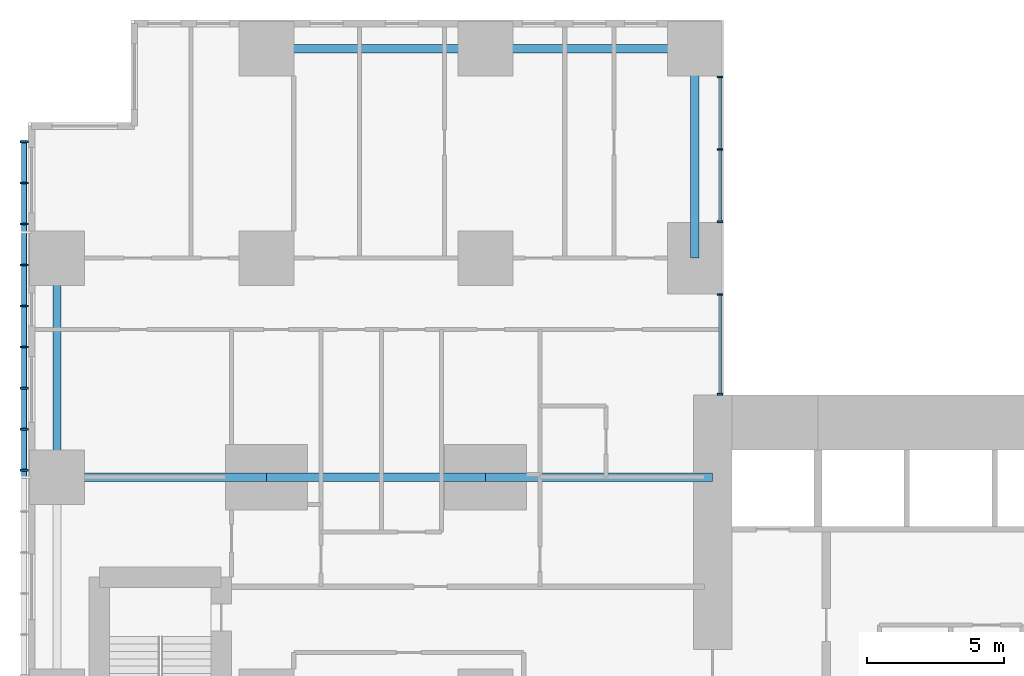
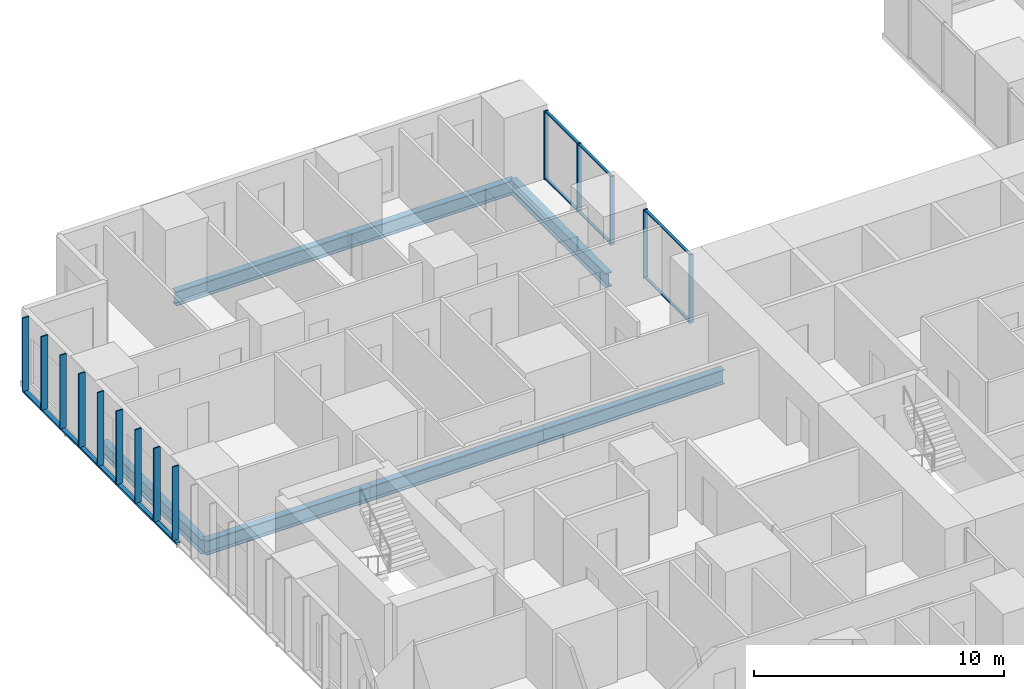
# One storey, part 4 of 20: 21 members, 7 beams, 2 elements without a shape of their own.
"""IFC4 building model written with IfcOpenShell, lengths in metres."""

from ifc_helpers import new_model, si_unit, direction, frame, origin, origin_2d, place, context, subcontext, project, spatial, rectangle, hollow_rectangle, i_section, extrude, material, layer, layer_set, material_profile, profile_set, type_object, element, aggregate, save


model = new_model("IFC4")

# Units and contexts
model_context = context("Model", 3, precision=1e-05, world=origin(), true_north=direction((0.0, 1.0)))
body_context = subcontext(model_context, "Body", "Model", "MODEL_VIEW")
ifc_project = project(units=[si_unit("LENGTHUNIT", "METRE"), si_unit("AREAUNIT", "SQUARE_METRE"), si_unit("VOLUMEUNIT", "CUBIC_METRE"), si_unit("PLANEANGLEUNIT", "RADIAN"), si_unit("MASSUNIT", "GRAM", prefix="KILO")], contexts=[model_context])

# Site, building, storey
site_placement = place(None, origin())
site = spatial("IfcSite", under=ifc_project, at=site_placement, CompositionType="ELEMENT")
building_placement = place(site_placement, origin())
building = spatial("IfcBuilding", under=site, at=building_placement, Name="Cleftline Residences", CompositionType="ELEMENT")
storey_placement = place(building_placement, frame((0.0, 0.0, 103.39990234375)))
storey = spatial("IfcBuildingStorey", under=building, at=storey_placement, Name="L26", CompositionType="ELEMENT", Elevation=103.39990234375)

# Member
ifc_material_1 = material(Name="Steel S355, hot-dip galvanised", Category="steel")
ifc_material_profile_1 = material_profile(ifc_material_1, hollow_rectangle(XDim=0.10009765625, YDim=0.199951171875, WallThickness=0.008056640625, InnerFilletRadius=0.008056640625, OuterFilletRadius=0.011962890625, at=origin_2d()))
ifc_profile_set_1 = profile_set([ifc_material_profile_1], Name="Steel S355, hot-dip galvanised")
member_type_1 = type_object("IfcMemberType", Name="BAGUETTE CARRIER RHS 200X100X8", PredefinedType="USERDEFINED", material=ifc_profile_set_1)
member_1_placement = place(storey_placement, frame((-0.85009765625, 44.300048828125, -0.0498046875), z_axis=(0.0, -1.0, 0.0), x_axis=(0.0, 0.0, 1.0)))
element("IfcMember", 1, at=member_1_placement, inside=storey, type_object=member_type_1, Name="Baguette carrier", ObjectType="BAGUETTE CARRIER", PredefinedType="USERDEFINED", context=body_context, shape_type="SweptSolid", body=[
    extrude(hollow_rectangle(XDim=0.10009765625, YDim=0.199951171875, WallThickness=0.008056640625, InnerFilletRadius=0.008056640625, OuterFilletRadius=0.011962890625, at=origin_2d()), origin(), (0.0, 0.0, 1.0), 12.300048828125),
])

# Beams
ifc_material_2 = material(Name="Steel S355", Category="steel")
ifc_material_profile_2 = material_profile(ifc_material_2, i_section(OverallWidth=0.300048828125, OverallDepth=0.699951171875, WebThickness=0.01708984375, FlangeThickness=0.031982421875, FilletRadius=0.027099609375, at=origin_2d()))
ifc_profile_set_2 = profile_set([ifc_material_profile_2], Name="Steel S355")
beam_type_1 = type_object("IfcBeamType", Name="BEAM HEB 700", PredefinedType="BEAM", material=ifc_profile_set_2)
for number, where, z_axis, x_axis, name in (
    (2, (0.35009765625, 32.0, -0.599853515625), (0.0, 1.0, 0.0), (-1.0, 0.0, 0.0), "Edge beam"),
    (3, (8.0, 47.64990234375, -0.599853515625), (1.0, 0.0, 0.0), (0.0, 1.0, 0.0), "Edge beam"),
):
    element("IfcBeam", number, at=place(storey_placement, frame(where, z_axis=z_axis, x_axis=x_axis)), inside=storey, type_object=beam_type_1, Name=name, PredefinedType="BEAM", context=body_context, shape_type="SweptSolid", body=[
        extrude(i_section(OverallWidth=0.300048828125, OverallDepth=0.699951171875, WebThickness=0.01708984375, FlangeThickness=0.031982421875, FilletRadius=0.027099609375, at=origin_2d()), origin(), (0.0, 0.0, 1.0), 8.0),
    ])
for number, where, z_axis, x_axis, name in (
    (4, (16.0, 47.64990234375, -0.599853515625), (1.0, 0.0, 0.0), (0.0, 1.0, 0.0), "Edge beam"),
    (5, (23.64990234375, 47.64990234375, -0.599853515625), (0.0, -1.0, 0.0), (1.0, 0.0, 0.0), "Edge beam"),
):
    element("IfcBeam", number, at=place(storey_placement, frame(where, z_axis=z_axis, x_axis=x_axis)), inside=storey, type_object=beam_type_1, Name=name, PredefinedType="BEAM", context=body_context, shape_type="SweptSolid", body=[
        extrude(i_section(OverallWidth=0.300048828125, OverallDepth=0.699951171875, WebThickness=0.01708984375, FlangeThickness=0.031982421875, FilletRadius=0.027099609375, at=origin_2d()), origin(), (0.0, 0.0, 1.0), 7.64990234375),
    ])
ifc_material_3 = material(Name="Steel S355", Category="steel")
ifc_material_profile_3 = material_profile(ifc_material_3, i_section(OverallWidth=0.303955078125, OverallDepth=0.716064453125, WebThickness=0.02099609375, FlangeThickness=0.0400390625, FilletRadius=0.027099609375, at=origin_2d()))
ifc_profile_set_3 = profile_set([ifc_material_profile_3], Name="Steel S355")
beam_type_2 = type_object("IfcBeamType", Name="BEAM HEM 700", PredefinedType="BEAM", material=ifc_profile_set_3)
beam_1_placement = place(storey_placement, frame((0.35009765625, 32.0, -0.60791015625), z_axis=(1.0, 0.0, 0.0), x_axis=(0.0, 1.0, 0.0)))
element("IfcBeam", 6, at=beam_1_placement, inside=storey, type_object=beam_type_2, Name="Band beam", PredefinedType="BEAM", context=body_context, shape_type="SweptSolid", body=[
    extrude(i_section(OverallWidth=0.303955078125, OverallDepth=0.716064453125, WebThickness=0.02099609375, FlangeThickness=0.0400390625, FilletRadius=0.027099609375, at=origin_2d()), origin(), (0.0, 0.0, 1.0), 7.64990234375),
])
beam_2_placement = place(storey_placement, frame((8.0, 32.0, -0.60791015625), z_axis=(1.0, 0.0, 0.0), x_axis=(0.0, 1.0, 0.0)))
element("IfcBeam", 7, at=beam_2_placement, inside=storey, type_object=beam_type_2, Name="Band beam", PredefinedType="BEAM", context=body_context, shape_type="SweptSolid", body=[
    extrude(i_section(OverallWidth=0.303955078125, OverallDepth=0.716064453125, WebThickness=0.02099609375, FlangeThickness=0.0400390625, FilletRadius=0.027099609375, at=origin_2d()), origin(), (0.0, 0.0, 1.0), 8.0),
])
beam_3_placement = place(storey_placement, frame((16.0, 32.0, -0.60791015625), z_axis=(1.0, 0.0, 0.0), x_axis=(0.0, 1.0, 0.0)))
element("IfcBeam", 8, at=beam_3_placement, inside=storey, type_object=beam_type_2, Name="Band beam", PredefinedType="BEAM", context=body_context, shape_type="SweptSolid", body=[
    extrude(i_section(OverallWidth=0.303955078125, OverallDepth=0.716064453125, WebThickness=0.02099609375, FlangeThickness=0.0400390625, FilletRadius=0.027099609375, at=origin_2d()), origin(), (0.0, 0.0, 1.0), 8.300048828125),
])

# Curtain wall, members
ifc_material_4 = material(Name="Aluminium framed curtain wall", Category="aluminium")
ifc_layer = layer(ifc_material_4, 0.199951171875)
ifc_layer_set = layer_set([ifc_layer], Name="CW1 CLEFT GLAZING")
curtain_wall_type = type_object("IfcCurtainWallType", Name="CW1 CLEFT GLAZING", PredefinedType="NOTDEFINED", material=ifc_layer_set)
curtain_wall_1_placement = place(storey_placement, origin())
curtain_wall_1 = element("IfcCurtainWall", 9, at=curtain_wall_1_placement, inside=storey, type_object=curtain_wall_type, Name="Curtain wall CW1", PredefinedType="NOTDEFINED")
ifc_material_5 = material(Name="Aluminium mullion", Category="aluminium")
ifc_material_profile_4 = material_profile(ifc_material_5, rectangle(XDim=0.199951171875, YDim=0.06005859375, at=origin_2d()))
ifc_profile_set_4 = profile_set([ifc_material_profile_4], Name="Aluminium mullion")
member_type_2 = type_object("IfcMemberType", Name="CW1 MULLION", PredefinedType="MULLION", material=ifc_profile_set_4)
member_2_placement = place(storey_placement, frame((24.574951171875, 35.030029296875, 0.0), z_axis=(0.0, 0.0, 1.0), x_axis=(-1.0, 0.0, 0.0)))
member_2 = element("IfcMember", 10, at=member_2_placement, type_object=member_type_2, Name="CW1 mullion 1", PredefinedType="MULLION", context=body_context, shape_type="SweptSolid", body=[
    extrude(rectangle(XDim=0.199951171875, YDim=0.06005859375, at=origin_2d()), origin(), (0.0, 0.0, 1.0), 3.35009765625),
])
member_3_placement = place(storey_placement, frame((24.574951171875, 38.669921875, 0.0), z_axis=(0.0, 0.0, 1.0), x_axis=(-1.0, 0.0, 0.0)))
member_3 = element("IfcMember", 11, at=member_3_placement, type_object=member_type_2, Name="CW1 mullion 2", PredefinedType="MULLION", context=body_context, shape_type="SweptSolid", body=[
    extrude(rectangle(XDim=0.199951171875, YDim=0.06005859375, at=origin_2d()), origin(), (0.0, 0.0, 1.0), 3.35009765625),
])

curtain_wall_2_placement = place(storey_placement, origin())
curtain_wall_2 = element("IfcCurtainWall", 12, at=curtain_wall_2_placement, inside=storey, type_object=curtain_wall_type, Name="Curtain wall CW1", PredefinedType="NOTDEFINED")
member_4_placement = place(storey_placement, frame((24.574951171875, 41.330078125, 0.0), z_axis=(0.0, 0.0, 1.0), x_axis=(-1.0, 0.0, 0.0)))
member_4 = element("IfcMember", 13, at=member_4_placement, type_object=member_type_2, Name="CW1 mullion 1", PredefinedType="MULLION", context=body_context, shape_type="SweptSolid", body=[
    extrude(rectangle(XDim=0.199951171875, YDim=0.06005859375, at=origin_2d()), origin(), (0.0, 0.0, 1.0), 3.35009765625),
])
member_5_placement = place(storey_placement, frame((24.574951171875, 43.97509765625, 0.0), z_axis=(0.0, 0.0, 1.0), x_axis=(-1.0, 0.0, 0.0)))
member_5 = element("IfcMember", 14, at=member_5_placement, type_object=member_type_2, Name="CW1 mullion 2", PredefinedType="MULLION", context=body_context, shape_type="SweptSolid", body=[
    extrude(rectangle(XDim=0.199951171875, YDim=0.06005859375, at=origin_2d()), origin(), (0.0, 0.0, 1.0), 3.35009765625),
])
member_6_placement = place(storey_placement, frame((24.574951171875, 46.6201171875, 0.0), z_axis=(0.0, 0.0, 1.0), x_axis=(-1.0, 0.0, 0.0)))
member_6 = element("IfcMember", 15, at=member_6_placement, type_object=member_type_2, Name="CW1 mullion 3", PredefinedType="MULLION", context=body_context, shape_type="SweptSolid", body=[
    extrude(rectangle(XDim=0.199951171875, YDim=0.06005859375, at=origin_2d()), origin(), (0.0, 0.0, 1.0), 3.35009765625),
])

# Member
ifc_material_6 = material(Name="Aluminium transom", Category="aluminium")
ifc_material_profile_5 = material_profile(ifc_material_6, rectangle(XDim=0.1201171875, YDim=0.06005859375, at=origin_2d()))
ifc_profile_set_5 = profile_set([ifc_material_profile_5], Name="Aluminium transom")
member_type_3 = type_object("IfcMemberType", Name="CW1 TRANSOM", PredefinedType="USERDEFINED", material=ifc_profile_set_5)
member_7_placement = place(storey_placement, frame((24.574951171875, 35.06005859375, 0.030029296875), z_axis=(0.0, 1.0, 0.0), x_axis=(-1.0, 0.0, 0.0)))
member_7 = element("IfcMember", 16, at=member_7_placement, type_object=member_type_3, Name="CW1 transom 1.1", ObjectType="TRANSOM", PredefinedType="USERDEFINED", context=body_context, shape_type="SweptSolid", body=[
    extrude(rectangle(XDim=0.1201171875, YDim=0.06005859375, at=origin_2d()), origin(), (0.0, 0.0, 1.0), 3.579833984375),
])

member_8_placement = place(storey_placement, frame((24.574951171875, 35.06005859375, 3.320068359375), z_axis=(0.0, 1.0, 0.0), x_axis=(-1.0, 0.0, 0.0)))
member_8 = element("IfcMember", 17, at=member_8_placement, type_object=member_type_3, Name="CW1 transom 1.2", ObjectType="TRANSOM", PredefinedType="USERDEFINED", context=body_context, shape_type="SweptSolid", body=[
    extrude(rectangle(XDim=0.1201171875, YDim=0.06005859375, at=origin_2d()), origin(), (0.0, 0.0, 1.0), 3.579833984375),
])

aggregate(curtain_wall_1, [member_2, member_3, member_7, member_8])

member_9_placement = place(storey_placement, frame((24.574951171875, 41.360107421875, 0.030029296875), z_axis=(0.0, 1.0, 0.0), x_axis=(-1.0, 0.0, 0.0)))
member_9 = element("IfcMember", 18, at=member_9_placement, type_object=member_type_3, Name="CW1 transom 1.1", ObjectType="TRANSOM", PredefinedType="USERDEFINED", context=body_context, shape_type="SweptSolid", body=[
    extrude(rectangle(XDim=0.1201171875, YDim=0.06005859375, at=origin_2d()), origin(), (0.0, 0.0, 1.0), 2.5849609375),
])

member_10_placement = place(storey_placement, frame((24.574951171875, 41.360107421875, 3.320068359375), z_axis=(0.0, 1.0, 0.0), x_axis=(-1.0, 0.0, 0.0)))
member_10 = element("IfcMember", 19, at=member_10_placement, type_object=member_type_3, Name="CW1 transom 1.2", ObjectType="TRANSOM", PredefinedType="USERDEFINED", context=body_context, shape_type="SweptSolid", body=[
    extrude(rectangle(XDim=0.1201171875, YDim=0.06005859375, at=origin_2d()), origin(), (0.0, 0.0, 1.0), 2.5849609375),
])

member_11_placement = place(storey_placement, frame((24.574951171875, 44.0048828125, 0.030029296875), z_axis=(0.0, 1.0, 0.0), x_axis=(-1.0, 0.0, 0.0)))
member_11 = element("IfcMember", 20, at=member_11_placement, type_object=member_type_3, Name="CW1 transom 2.1", ObjectType="TRANSOM", PredefinedType="USERDEFINED", context=body_context, shape_type="SweptSolid", body=[
    extrude(rectangle(XDim=0.1201171875, YDim=0.06005859375, at=origin_2d()), origin(), (0.0, 0.0, 1.0), 2.585205078125),
])

member_12_placement = place(storey_placement, frame((24.574951171875, 44.0048828125, 3.320068359375), z_axis=(0.0, 1.0, 0.0), x_axis=(-1.0, 0.0, 0.0)))
member_12 = element("IfcMember", 21, at=member_12_placement, type_object=member_type_3, Name="CW1 transom 2.2", ObjectType="TRANSOM", PredefinedType="USERDEFINED", context=body_context, shape_type="SweptSolid", body=[
    extrude(rectangle(XDim=0.1201171875, YDim=0.06005859375, at=origin_2d()), origin(), (0.0, 0.0, 1.0), 2.585205078125),
])

aggregate(curtain_wall_2, [member_4, member_5, member_6, member_9, member_10, member_11, member_12])

# Members
ifc_material_7 = material(Name="Extruded terracotta", Category="masonry")
ifc_material_profile_6 = material_profile(ifc_material_7, rectangle(XDim=0.06005859375, YDim=0.300048828125, at=origin_2d()))
ifc_profile_set_6 = profile_set([ifc_material_profile_6], Name="Extruded terracotta")
member_type_4 = type_object("IfcMemberType", Name="TERRACOTTA BAGUETTE 60X300", PredefinedType="USERDEFINED", material=ifc_profile_set_6)
for number, where, z_axis, x_axis, name in (
    (22, (-0.85009765625, 44.25, 0.0), (0.0, 0.0, 1.0), (0.0, 1.0, 0.0), "Terracotta baguette"),
    (23, (-0.85009765625, 42.75, 0.0), (0.0, 0.0, 1.0), (0.0, 1.0, 0.0), "Terracotta baguette"),
    (24, (-0.85009765625, 41.25, 0.0), (0.0, 0.0, 1.0), (0.0, 1.0, 0.0), "Terracotta baguette"),
    (25, (-0.85009765625, 39.75, 0.0), (0.0, 0.0, 1.0), (0.0, 1.0, 0.0), "Terracotta baguette"),
    (26, (-0.85009765625, 38.25, 0.0), (0.0, 0.0, 1.0), (0.0, 1.0, 0.0), "Terracotta baguette"),
    (27, (-0.85009765625, 36.75, 0.0), (0.0, 0.0, 1.0), (0.0, 1.0, 0.0), "Terracotta baguette"),
    (28, (-0.85009765625, 35.25, 0.0), (0.0, 0.0, 1.0), (0.0, 1.0, 0.0), "Terracotta baguette"),
    (29, (-0.85009765625, 33.75, 0.0), (0.0, 0.0, 1.0), (0.0, 1.0, 0.0), "Terracotta baguette"),
    (30, (-0.85009765625, 32.25, 0.0), (0.0, 0.0, 1.0), (0.0, 1.0, 0.0), "Terracotta baguette"),
):
    element("IfcMember", number, at=place(storey_placement, frame(where, z_axis=z_axis, x_axis=x_axis)), inside=storey, type_object=member_type_4, Name=name, ObjectType="BAGUETTE", PredefinedType="USERDEFINED", context=body_context, shape_type="SweptSolid", body=[
        extrude(rectangle(XDim=0.06005859375, YDim=0.300048828125, at=origin_2d()), origin(), (0.0, 0.0, 1.0), 3.60009765625),
    ])

save(model, "model.ifc")
